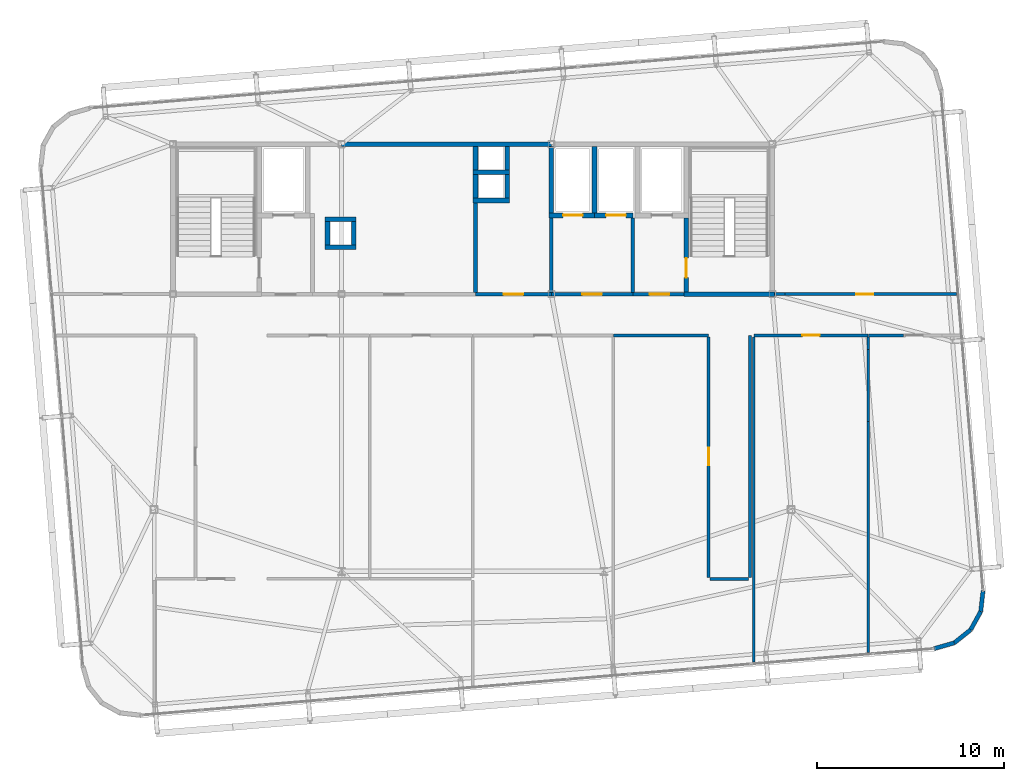
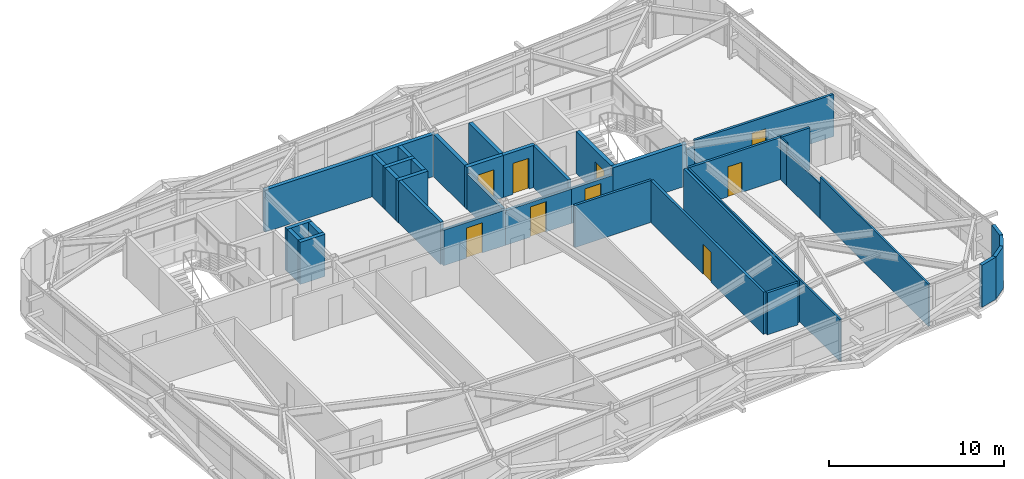
# One storey, part 43 of 46: 39 walls, 9 doors, 9 openings.
"""IFC4 building model written with IfcOpenShell, lengths in metres."""

from ifc_helpers import new_model, si_unit, direction, frame, frame_2d, origin, place, context, subcontext, project, spatial, rectangle, extrude, source, transform, mapped, material, layer, layer_set, type_object, element, fill, save


model = new_model("IFC4")

# Units and contexts
model_context = context("Model", 3, precision=1e-05, world=origin(), true_north=direction((0.0, 1.0)))
body_context = subcontext(model_context, "Body", "Model", "MODEL_VIEW")
ifc_project = project(units=[si_unit("LENGTHUNIT", "METRE"), si_unit("AREAUNIT", "SQUARE_METRE"), si_unit("VOLUMEUNIT", "CUBIC_METRE"), si_unit("PLANEANGLEUNIT", "RADIAN"), si_unit("MASSUNIT", "GRAM", prefix="KILO")], contexts=[model_context])

# Site, building, storey
site_placement = place(None, origin())
site = spatial("IfcSite", under=ifc_project, at=site_placement, CompositionType="ELEMENT")
building_placement = place(site_placement, origin())
building = spatial("IfcBuilding", under=site, at=building_placement, Name="Taldren Reach Tower", CompositionType="ELEMENT")
storey_placement = place(building_placement, frame((0.0, 0.0, 185.14990234375)))
storey = spatial("IfcBuildingStorey", under=building, at=storey_placement, Name="L56", CompositionType="ELEMENT", Elevation=185.14990234375)

# Walls
ifc_material_1 = material(Name="Pale Champagne Anodised Aluminium Cladding", Category="aluminium")
ifc_layer_1 = layer(ifc_material_1, 0.04, Name="Pale Champagne Anodised Aluminium Cladding", Category="aluminium")
ifc_material_2 = material(Name="Mineral Wool Acoustic Insulation", Category="insulation")
ifc_layer_2 = layer(ifc_material_2, 0.06, Name="Mineral Wool Acoustic Insulation", Category="insulation")
ifc_material_3 = material(Name="Steel Gr 350 (C350L0)", Category="steel")
ifc_layer_3 = layer(ifc_material_3, 0.12, Name="Steel Gr 350 (C350L0)", Category="steel")
ifc_layer_set_1 = layer_set([ifc_layer_1, ifc_layer_2, ifc_layer_3], Name="Pale Champagne Aluminium Cladding and Steel Gr 350 Stud Framing")
wall_type_1 = type_object("IfcWallType", Name="EW-CRN-220", PredefinedType="SOLIDWALL", material=ifc_layer_set_1)
shared_shape_1 = source(origin(), body_context, "Body", "SweptSolid", [
    extrude(rectangle(XDim=1.115966796875, YDim=0.219970703125, at=frame_2d((0.55810546875, 0.0))), origin(), (0.0, 0.0, 1.0), 2.93017578125),
])
for number, where, z_axis, x_axis, name in (
    (1, (59.635986328125, 5.0751953125, 0.0), (0.0, 0.0, 1.0), (0.961010464297, 0.276512002475, 0.0), "Rounded-corner pale-metal facade wall L56-SE1"),
    (2, (60.70849609375, 5.3837890625, 0.0), (0.0, 0.0, 1.0), (0.782147847222, 0.623092886403, 0.0), "Rounded-corner pale-metal facade wall L56-SE2"),
    (3, (61.581298828125, 6.0791015625, 0.0), (0.0, 0.0, 1.0), (0.483933071672, 0.875105012065, 0.0), "Rounded-corner pale-metal facade wall L56-SE3"),
    (4, (62.121337890625, 7.0556640625, 0.0), (0.0, 0.0, 1.0), (0.112448259968, 0.993657581277, 0.0), "Rounded-corner pale-metal facade wall L56-SE4"),
):
    element("IfcWall", number, at=place(storey_placement, frame(where, z_axis=z_axis, x_axis=x_axis)), inside=storey, type_object=wall_type_1, Name=name, PredefinedType="SOLIDWALL", context=body_context, shape_type="MappedRepresentation", body=[
        mapped(shared_shape_1, transform((0.0, 0.0, 0.0), scale=1.0)),
    ])
ifc_material_4 = material(Name="Fire-Rated Acoustic Plasterboard Stud Wall", Category="gypsum")
ifc_layer_4 = layer(ifc_material_4, 0.159912109375)
ifc_layer_set_2 = layer_set([ifc_layer_4], Name="Fire-Rated Acoustic Plasterboard Stud Wall")
wall_type_2 = type_object("IfcWallType", Name="IW-FIRE-160", PredefinedType="PARTITIONING", material=ifc_layer_set_2)
shared_shape_2 = source(origin(), body_context, "Body", "SweptSolid", [
    extrude(rectangle(XDim=2.0400390625, YDim=0.159912109375, at=frame_2d((1.02001953125, 0.0))), origin(), (0.0, 0.0, 1.0), 2.93017578125),
])
wall_1_placement = place(storey_placement, frame((49.719970703125, 8.800048828125, 0.0), z_axis=(0.0, 0.0, 1.0), x_axis=(-1.0, 0.0, 0.0)))
element("IfcWall", 5, at=wall_1_placement, inside=storey, type_object=wall_type_2, Name="Interior Partition Wall W-INT-L56-045", PredefinedType="PARTITIONING", context=body_context, shape_type="MappedRepresentation", body=[
    mapped(shared_shape_2, transform((0.0, 0.0, 0.0), scale=1.0)),
])

# Wall, opening, door
ifc_material_5 = material(Name="Concrete S50 (50 MPa)", Category="concrete")
ifc_layer_5 = layer(ifc_material_5, 0.199951171875)
ifc_layer_set_3 = layer_set([ifc_layer_5], Name="Concrete S50 (50 MPa)")
wall_type_3 = type_object("IfcWallType", Name="IW-CORE-200", PredefinedType="SOLIDWALL", material=ifc_layer_set_3)
shared_shape_3 = source(origin(), body_context, "Body", "SweptSolid", [
    extrude(rectangle(XDim=4.35009765625, YDim=0.199951171875, at=frame_2d((2.175048828125, 0.0))), origin(), (0.0, 0.0, 1.0), 2.397216796875),
])
wall_2_placement = place(storey_placement, frame((43.550048828125, 24.0, 0.0), z_axis=(0.0, 0.0, 1.0), x_axis=(-1.0, 0.0, 0.0)))
wall_2 = element("IfcWall", 6, at=wall_2_placement, inside=storey, type_object=wall_type_3, Name="Rear Core Shear Wall W-INT-L56-030", PredefinedType="SOLIDWALL", context=body_context, shape_type="MappedRepresentation", body=[
    mapped(shared_shape_3, transform((0.0, 0.0, 0.0), scale=1.0)),
])
shared_shape_4 = source(origin(), body_context, "Body", "SweptSolid", [
    extrude(rectangle(XDim=1.050048828125, YDim=2.10009765625, at=frame_2d((0.52490234375, 1.050048828125))), frame((0.0, 0.10986328125, 0.0), z_axis=(0.0, -1.0, 0.0), x_axis=(1.0, 0.0, 0.0)), (0.0, 0.0, 1.0), 0.219970703125),
])
opening_1_placement = place(wall_2_placement, frame((1.64990234375, 0.0, 0.0)))
opening_1 = element("IfcOpeningElement", 7, at=opening_1_placement, cuts=wall_2, Name="Opening DF-105", PredefinedType="OPENING", context=body_context, shape_type="MappedRepresentation", body=[
    mapped(shared_shape_4, transform((0.0, 0.0, 0.0), scale=1.0)),
])
ifc_material_6 = material(Name="Fire-Rated Care and Stair Exit Door")
door_type_1 = type_object("IfcDoorType", Name="ID-FIRE-105", OperationType="NOTDEFINED", PredefinedType="DOOR", material=ifc_material_6)
shared_shape_5 = source(origin(), body_context, "Body", "SweptSolid", [
    extrude(rectangle(XDim=1.050048828125, YDim=2.10009765625, at=frame_2d((0.52490234375, 1.050048828125))), frame((0.0, 0.02490234375, 0.0), z_axis=(0.0, -1.0, 0.0), x_axis=(1.0, 0.0, 0.0)), (0.0, 0.0, 1.0), 0.050048828125),
])
door_1_placement = place(opening_1_placement, frame((1.050048828125, 0.0, 0.0), z_axis=(0.0, 0.0, 1.0), x_axis=(-1.0, 0.0, 0.0)))
door_1 = element("IfcDoor", 8, at=door_1_placement, inside=storey, type_object=door_type_1, Name="Interior Door DR-L56-005", OperationType="SINGLE_SWING_LEFT", OverallHeight=2.10009765625, OverallWidth=1.050048828125, PredefinedType="DOOR", context=body_context, shape_type="MappedRepresentation", body=[
    mapped(shared_shape_5, transform((0.0, 0.0, 0.0), scale=1.0)),
])
fill(opening_1, door_1)

# Walls
shared_shape_6 = source(origin(), body_context, "Body", "SweptSolid", [
    extrude(rectangle(XDim=5.0595703125, YDim=0.159912109375, at=frame_2d((2.52978515625, 0.0))), origin(), (0.0, 0.0, 1.0), 2.93017578125),
])
wall_3_placement = place(storey_placement, frame((47.579833984375, 21.800048828125, 0.0), z_axis=(0.0, 0.0, 1.0), x_axis=(-1.0, 0.0, 0.0)))
element("IfcWall", 9, at=wall_3_placement, inside=storey, type_object=wall_type_2, Name="Interior Partition Wall W-INT-L56-044", PredefinedType="PARTITIONING", context=body_context, shape_type="MappedRepresentation", body=[
    mapped(shared_shape_6, transform((0.0, 0.0, 0.0), scale=1.0)),
])
ifc_material_7 = material(Name="Concrete S65 (65 MPa)", Category="concrete")
ifc_layer_6 = layer(ifc_material_7, 0.25)
ifc_layer_set_4 = layer_set([ifc_layer_6], Name="Concrete S65 (65 MPa)")
wall_type_4 = type_object("IfcWallType", Name="IW-CORE-250", PredefinedType="SHEAR", material=ifc_layer_set_4)
shared_shape_7 = source(origin(), body_context, "Body", "SweptSolid", [
    extrude(rectangle(XDim=11.199951171875, YDim=0.25, at=frame_2d((5.60009765625, 0.0))), origin(), (0.0, 0.0, 1.0), 2.93017578125),
])
wall_4_placement = place(storey_placement, frame((28.0, 32.0, 0.0), z_axis=(0.0, 0.0, 1.0), x_axis=(1.0, 0.0, 0.0)))
element("IfcWall", 10, at=wall_4_placement, inside=storey, type_object=wall_type_4, Name="Rear Core Shear Wall W-CORE-L56-NORTH2", PredefinedType="SHEAR", context=body_context, shape_type="MappedRepresentation", body=[
    mapped(shared_shape_7, transform((0.0, 0.0, 0.0), scale=1.0)),
])
shared_shape_8 = source(origin(), body_context, "Body", "SweptSolid", [
    extrude(rectangle(XDim=3.550048828125, YDim=0.25, at=frame_2d((1.77490234375, 0.0))), origin(), (0.0, 0.0, 1.0), 2.93017578125),
])
for number, where, z_axis, x_axis, name in (
    (11, (41.5, 28.324951171875, 0.0), (0.0, 0.0, 1.0), (0.0, 1.0, 0.0), "Rear Core Shear Wall W-INT-L56-025"),
    (12, (39.199951171875, 31.875, 0.0), (0.0, 0.0, 1.0), (0.0, -1.0, 0.0), "Rear Core Shear Wall W-INT-L56-027"),
):
    element("IfcWall", number, at=place(storey_placement, frame(where, z_axis=z_axis, x_axis=x_axis)), inside=storey, type_object=wall_type_4, Name=name, PredefinedType="SHEAR", context=body_context, shape_type="MappedRepresentation", body=[
        mapped(shared_shape_8, transform((0.0, 0.0, 0.0), scale=1.0)),
    ])

# Wall, opening, door
shared_shape_9 = source(origin(), body_context, "Body", "SweptSolid", [
    extrude(rectangle(XDim=3.949951171875, YDim=0.25, at=frame_2d((1.97509765625, 0.0))), origin(), (0.0, 0.0, 1.0), 2.93017578125),
])
wall_5_placement = place(storey_placement, frame((46.39990234375, 28.074951171875, 0.0), z_axis=(0.0, 0.0, 1.0), x_axis=(0.0, -1.0, 0.0)))
wall_5 = element("IfcWall", 13, at=wall_5_placement, inside=storey, type_object=wall_type_4, Name="Rear Core Shear Wall W-INT-L56-009", PredefinedType="SHEAR", context=body_context, shape_type="MappedRepresentation", body=[
    mapped(shared_shape_9, transform((0.0, 0.0, 0.0), scale=1.0)),
])
shared_shape_10 = source(origin(), body_context, "Body", "SweptSolid", [
    extrude(rectangle(XDim=1.050048828125, YDim=2.10009765625, at=frame_2d((0.52490234375, 1.050048828125))), frame((0.0, 0.135009765625, 0.0), z_axis=(0.0, -1.0, 0.0), x_axis=(1.0, 0.0, 0.0)), (0.0, 0.0, 1.0), 0.27001953125),
])
opening_2_placement = place(wall_5_placement, frame((2.14990234375, 0.0, 0.0)))
opening_2 = element("IfcOpeningElement", 14, at=opening_2_placement, cuts=wall_5, Name="Opening DF-105", PredefinedType="OPENING", context=body_context, shape_type="MappedRepresentation", body=[
    mapped(shared_shape_10, transform((0.0, 0.0, 0.0), scale=1.0)),
])
door_2_placement = place(opening_2_placement, origin())
door_2 = element("IfcDoor", 15, at=door_2_placement, inside=storey, type_object=door_type_1, Name="Fire Exit Stair Door DR-L56-003", OperationType="SINGLE_SWING_RIGHT", OverallHeight=2.10009765625, OverallWidth=1.050048828125, PredefinedType="DOOR", context=body_context, shape_type="MappedRepresentation", body=[
    mapped(shared_shape_5, transform((0.0, 0.0, 0.0), scale=1.0)),
])
fill(opening_2, door_2)

# Walls
shared_shape_11 = source(origin(), body_context, "Body", "SweptSolid", [
    extrude(rectangle(XDim=4.85009765625, YDim=0.25, at=frame_2d((2.425048828125, 0.0))), origin(), (0.0, 0.0, 1.0), 2.93017578125),
])
wall_6_placement = place(storey_placement, frame((46.27490234375, 24.0, 0.0), z_axis=(0.0, 0.0, 1.0), x_axis=(1.0, 0.0, 0.0)))
element("IfcWall", 16, at=wall_6_placement, inside=storey, type_object=wall_type_4, Name="Rear Core Shear Wall W-INT-L56-010", PredefinedType="SHEAR", context=body_context, shape_type="MappedRepresentation", body=[
    mapped(shared_shape_11, transform((0.0, 0.0, 0.0), scale=1.0)),
])
shared_shape_12 = source(origin(), body_context, "Body", "SweptSolid", [
    extrude(rectangle(XDim=3.974853515625, YDim=0.199951171875, at=frame_2d((1.9873046875, 0.0))), origin(), (0.0, 0.0, 1.0), 2.93017578125),
])
wall_7_placement = place(storey_placement, frame((43.550048828125, 28.074951171875, 0.0), z_axis=(0.0, 0.0, 1.0), x_axis=(0.0, -1.0, 0.0)))
element("IfcWall", 17, at=wall_7_placement, inside=storey, type_object=wall_type_3, Name="Rear Core Shear Wall W-INT-L56-013", PredefinedType="SOLIDWALL", context=body_context, shape_type="MappedRepresentation", body=[
    mapped(shared_shape_12, transform((0.0, 0.0, 0.0), scale=1.0)),
])

# Wall, opening, door
shared_shape_13 = source(origin(), body_context, "Body", "SweptSolid", [
    extrude(rectangle(XDim=2.724853515625, YDim=0.199951171875, at=frame_2d((1.3623046875, 0.0))), origin(), (0.0, 0.0, 1.0), 2.397216796875),
])
wall_8_placement = place(storey_placement, frame((43.550048828125, 24.0, 0.0), z_axis=(0.0, 0.0, 1.0), x_axis=(1.0, 0.0, 0.0)))
wall_8 = element("IfcWall", 18, at=wall_8_placement, inside=storey, type_object=wall_type_3, Name="Rear Core Shear Wall W-INT-L56-014", PredefinedType="SOLIDWALL", context=body_context, shape_type="MappedRepresentation", body=[
    mapped(shared_shape_13, transform((0.0, 0.0, 0.0), scale=1.0)),
])
opening_3_placement = place(wall_8_placement, frame((0.89990234375, 0.0, 0.0)))
opening_3 = element("IfcOpeningElement", 19, at=opening_3_placement, cuts=wall_8, Name="Opening DF-105", PredefinedType="OPENING", context=body_context, shape_type="MappedRepresentation", body=[
    mapped(shared_shape_4, transform((0.0, 0.0, 0.0), scale=1.0)),
])
door_3_placement = place(opening_3_placement, origin())
door_3 = element("IfcDoor", 20, at=door_3_placement, inside=storey, type_object=door_type_1, Name="Interior Door DR-L56-004", OperationType="SINGLE_SWING_LEFT", OverallHeight=2.10009765625, OverallWidth=1.050048828125, PredefinedType="DOOR", context=body_context, shape_type="MappedRepresentation", body=[
    mapped(shared_shape_5, transform((0.0, 0.0, 0.0), scale=1.0)),
])
fill(opening_3, door_3)

# Walls
shared_shape_14 = source(origin(), body_context, "Body", "SweptSolid", [
    extrude(rectangle(XDim=1.9501953125, YDim=0.25, at=frame_2d((0.97509765625, 0.0))), origin(), (0.0, 0.0, 1.0), 2.93017578125),
])
for number, where, z_axis, x_axis, name in (
    (21, (35.02490234375, 30.5, 0.0), (0.0, 0.0, 1.0), (1.0, 0.0, 0.0), "Rear Core Shear Wall W-INT-L56-015"),
    (22, (35.02490234375, 29.0, 0.0), (0.0, 0.0, 1.0), (1.0, 0.0, 0.0), "Rear Core Shear Wall W-INT-L56-019"),
):
    element("IfcWall", number, at=place(storey_placement, frame(where, z_axis=z_axis, x_axis=x_axis)), inside=storey, type_object=wall_type_4, Name=name, PredefinedType="SHEAR", context=body_context, shape_type="MappedRepresentation", body=[
        mapped(shared_shape_14, transform((0.0, 0.0, 0.0), scale=1.0)),
    ])
shared_shape_15 = source(origin(), body_context, "Body", "SweptSolid", [
    extrude(rectangle(XDim=1.25, YDim=0.25, at=frame_2d((0.625, 0.0))), origin(), (0.0, 0.0, 1.0), 2.93017578125),
])
for number, where, z_axis, x_axis, name in (
    (23, (35.14990234375, 31.875, 0.0), (0.0, 0.0, 1.0), (0.0, -1.0, 0.0), "Rear Core Shear Wall W-INT-L56-016"),
    (24, (36.85009765625, 30.625, 0.0), (0.0, 0.0, 1.0), (0.0, 1.0, 0.0), "Rear Core Shear Wall W-INT-L56-017"),
    (25, (35.14990234375, 30.375, 0.0), (0.0, 0.0, 1.0), (0.0, -1.0, 0.0), "Rear Core Shear Wall W-INT-L56-018"),
    (26, (36.85009765625, 29.125, 0.0), (0.0, 0.0, 1.0), (0.0, 1.0, 0.0), "Rear Core Shear Wall W-INT-L56-020"),
    (27, (28.64990234375, 26.625, 0.0), (0.0, 0.0, 1.0), (0.0, 1.0, 0.0), "Rear Core Shear Wall W-INT-L56-021"),
    (28, (27.25, 27.875, 0.0), (0.0, 0.0, 1.0), (0.0, -1.0, 0.0), "Rear Core Shear Wall W-INT-L56-022"),
):
    element("IfcWall", number, at=place(storey_placement, frame(where, z_axis=z_axis, x_axis=x_axis)), inside=storey, type_object=wall_type_4, Name=name, PredefinedType="SHEAR", context=body_context, shape_type="MappedRepresentation", body=[
        mapped(shared_shape_15, transform((0.0, 0.0, 0.0), scale=1.0)),
    ])
shared_shape_16 = source(origin(), body_context, "Body", "SweptSolid", [
    extrude(rectangle(XDim=1.64990234375, YDim=0.25, at=frame_2d((0.824951171875, 0.0))), origin(), (0.0, 0.0, 1.0), 2.93017578125),
])
for number, where, z_axis, x_axis, name in (
    (29, (28.77490234375, 28.0, 0.0), (0.0, 0.0, 1.0), (-1.0, 0.0, 0.0), "Rear Core Shear Wall W-INT-L56-023"),
    (30, (27.125, 26.5, 0.0), (0.0, 0.0, 1.0), (1.0, 0.0, 0.0), "Rear Core Shear Wall W-INT-L56-024"),
):
    element("IfcWall", number, at=place(storey_placement, frame(where, z_axis=z_axis, x_axis=x_axis)), inside=storey, type_object=wall_type_4, Name=name, PredefinedType="SHEAR", context=body_context, shape_type="MappedRepresentation", body=[
        mapped(shared_shape_16, transform((0.0, 0.0, 0.0), scale=1.0)),
    ])

# Wall, opening, door
shared_shape_17 = source(origin(), body_context, "Body", "SweptSolid", [
    extrude(rectangle(XDim=2.425048828125, YDim=0.25, at=frame_2d((1.21240234375, 0.0))), origin(), (0.0, 0.0, 1.0), 2.93017578125),
])
wall_9_placement = place(storey_placement, frame((39.074951171875, 28.199951171875, 0.0), z_axis=(0.0, 0.0, 1.0), x_axis=(1.0, 0.0, 0.0)))
wall_9 = element("IfcWall", 31, at=wall_9_placement, inside=storey, type_object=wall_type_4, Name="Rear Core Shear Wall W-INT-L56-026", PredefinedType="SHEAR", context=body_context, shape_type="MappedRepresentation", body=[
    mapped(shared_shape_17, transform((0.0, 0.0, 0.0), scale=1.0)),
])
shared_shape_18 = source(origin(), body_context, "Body", "SweptSolid", [
    extrude(rectangle(XDim=1.050048828125, YDim=2.14990234375, at=frame_2d((0.52490234375, 1.074951171875))), frame((0.0, 0.135009765625, 0.0), z_axis=(0.0, -1.0, 0.0), x_axis=(1.0, 0.0, 0.0)), (0.0, 0.0, 1.0), 0.27001953125),
])
opening_4_placement = place(wall_9_placement, frame((0.75, 0.0, 0.0)))
opening_4 = element("IfcOpeningElement", 32, at=opening_4_placement, cuts=wall_9, Name="Opening LD-PH1", PredefinedType="OPENING", context=body_context, shape_type="MappedRepresentation", body=[
    mapped(shared_shape_18, transform((0.0, 0.0, 0.0), scale=1.0)),
])
ifc_material_8 = material(Name="Stainless Steel Gr 316 Passenger Lift Landing Door", Category="steel")
door_type_2 = type_object("IfcDoorType", Name="LD-PAS-105", OperationType="SLIDING_TO_LEFT", PredefinedType="DOOR", material=ifc_material_8)
shared_shape_19 = source(origin(), body_context, "Body", "SweptSolid", [
    extrude(rectangle(XDim=1.050048828125, YDim=2.14990234375, at=frame_2d((0.52490234375, 1.074951171875))), frame((0.0, 0.02490234375, 0.0), z_axis=(0.0, -1.0, 0.0), x_axis=(1.0, 0.0, 0.0)), (0.0, 0.0, 1.0), 0.050048828125),
])
door_4_placement = place(opening_4_placement, origin())
door_4 = element("IfcDoor", 33, at=door_4_placement, inside=storey, type_object=door_type_2, Name="Lift Landing Door LD-PH1-L56", OperationType="SLIDING_TO_LEFT", OverallHeight=2.14990234375, OverallWidth=1.050048828125, PredefinedType="DOOR", context=body_context, shape_type="MappedRepresentation", body=[
    mapped(shared_shape_19, transform((0.0, 0.0, 0.0), scale=1.0)),
])
fill(opening_4, door_4)

shared_shape_20 = source(origin(), body_context, "Body", "SweptSolid", [
    extrude(rectangle(XDim=2.070068359375, YDim=0.25, at=frame_2d((1.03515625, 0.0))), origin(), (0.0, 0.0, 1.0), 2.93017578125),
])
wall_10_placement = place(storey_placement, frame((41.5, 28.199951171875, 0.0), z_axis=(0.0, 0.0, 1.0), x_axis=(1.0, 0.0, 0.0)))
wall_10 = element("IfcWall", 34, at=wall_10_placement, inside=storey, type_object=wall_type_4, Name="Rear Core Shear Wall W-INT-L56-028", PredefinedType="SHEAR", context=body_context, shape_type="MappedRepresentation", body=[
    mapped(shared_shape_20, transform((0.0, 0.0, 0.0), scale=1.0)),
])
opening_5_placement = place(wall_10_placement, frame((0.625, 0.0, 0.0)))
opening_5 = element("IfcOpeningElement", 35, at=opening_5_placement, cuts=wall_10, Name="Opening LD-PH2", PredefinedType="OPENING", context=body_context, shape_type="MappedRepresentation", body=[
    mapped(shared_shape_18, transform((0.0, 0.0, 0.0), scale=1.0)),
])
door_5_placement = place(opening_5_placement, origin())
door_5 = element("IfcDoor", 36, at=door_5_placement, inside=storey, type_object=door_type_2, Name="Lift Landing Door LD-PH2-L56", OperationType="SLIDING_TO_LEFT", OverallHeight=2.14990234375, OverallWidth=1.050048828125, PredefinedType="DOOR", context=body_context, shape_type="MappedRepresentation", body=[
    mapped(shared_shape_19, transform((0.0, 0.0, 0.0), scale=1.0)),
])
fill(opening_5, door_5)

# Walls
shared_shape_21 = source(origin(), body_context, "Body", "SweptSolid", [
    extrude(rectangle(XDim=3.974853515625, YDim=0.199951171875, at=frame_2d((1.9873046875, 0.0))), origin(), (0.0, 0.0, 1.0), 2.47021484375),
])
wall_11_placement = place(storey_placement, frame((39.199951171875, 24.10009765625, 0.0), z_axis=(0.0, 0.0, 1.0), x_axis=(0.0, 1.0, 0.0)))
element("IfcWall", 37, at=wall_11_placement, inside=storey, type_object=wall_type_3, Name="Rear Core Shear Wall W-INT-L56-029", PredefinedType="SOLIDWALL", context=body_context, shape_type="MappedRepresentation", body=[
    mapped(shared_shape_21, transform((0.0, 0.0, 0.0), scale=1.0)),
])
shared_shape_22 = source(origin(), body_context, "Body", "SweptSolid", [
    extrude(rectangle(XDim=4.77490234375, YDim=0.199951171875, at=frame_2d((2.387451171875, 0.0))), origin(), (0.0, 0.0, 1.0), 2.93017578125),
])
wall_12_placement = place(storey_placement, frame((35.14990234375, 28.875, 0.0), z_axis=(0.0, 0.0, 1.0), x_axis=(0.0, -1.0, 0.0)))
element("IfcWall", 38, at=wall_12_placement, inside=storey, type_object=wall_type_3, Name="Rear Core Shear Wall W-INT-L56-031", PredefinedType="SOLIDWALL", context=body_context, shape_type="MappedRepresentation", body=[
    mapped(shared_shape_22, transform((0.0, 0.0, 0.0), scale=1.0)),
])

# Wall, opening, door
shared_shape_23 = source(origin(), body_context, "Body", "SweptSolid", [
    extrude(rectangle(XDim=4.050048828125, YDim=0.199951171875, at=frame_2d((2.02490234375, 0.0))), origin(), (0.0, 0.0, 1.0), 2.47021484375),
])
wall_13_placement = place(storey_placement, frame((39.199951171875, 24.0, 0.0), z_axis=(0.0, 0.0, 1.0), x_axis=(-1.0, 0.0, 0.0)))
wall_13 = element("IfcWall", 39, at=wall_13_placement, inside=storey, type_object=wall_type_3, Name="Rear Core Shear Wall W-INT-L56-033", PredefinedType="SOLIDWALL", context=body_context, shape_type="MappedRepresentation", body=[
    mapped(shared_shape_23, transform((0.0, 0.0, 0.0), scale=1.0)),
])
opening_6_placement = place(wall_13_placement, frame((1.5, 0.0, 0.0)))
opening_6 = element("IfcOpeningElement", 40, at=opening_6_placement, cuts=wall_13, Name="Opening DF-105", PredefinedType="OPENING", context=body_context, shape_type="MappedRepresentation", body=[
    mapped(shared_shape_4, transform((0.0, 0.0, 0.0), scale=1.0)),
])
door_6_placement = place(opening_6_placement, frame((1.050048828125, 0.0, 0.0), z_axis=(0.0, 0.0, 1.0), x_axis=(-1.0, 0.0, 0.0)))
door_6 = element("IfcDoor", 41, at=door_6_placement, inside=storey, type_object=door_type_1, Name="Interior Door DR-L56-007", OperationType="SINGLE_SWING_LEFT", OverallHeight=2.10009765625, OverallWidth=1.050048828125, PredefinedType="DOOR", context=body_context, shape_type="MappedRepresentation", body=[
    mapped(shared_shape_5, transform((0.0, 0.0, 0.0), scale=1.0)),
])
fill(opening_6, door_6)

shared_shape_24 = source(origin(), body_context, "Body", "SweptSolid", [
    extrude(rectangle(XDim=12.840087890625, YDim=0.159912109375, at=frame_2d((6.419921875, 0.0))), origin(), (0.0, 0.0, 1.0), 2.93017578125),
])
wall_14_placement = place(storey_placement, frame((47.60009765625, 8.8798828125, 0.0), z_axis=(0.0, 0.0, 1.0), x_axis=(0.0, 1.0, 0.0)))
wall_14 = element("IfcWall", 42, at=wall_14_placement, inside=storey, type_object=wall_type_2, Name="Interior Partition Wall W-INT-L56-042", PredefinedType="PARTITIONING", context=body_context, shape_type="MappedRepresentation", body=[
    mapped(shared_shape_24, transform((0.0, 0.0, 0.0), scale=1.0)),
])
shared_shape_25 = source(origin(), body_context, "Body", "SweptSolid", [
    extrude(rectangle(XDim=0.919921875, YDim=2.10009765625, at=frame_2d((0.4599609375, 1.050048828125))), frame((0.0, 0.08984375, 0.0), z_axis=(0.0, -1.0, 0.0), x_axis=(1.0, 0.0, 0.0)), (0.0, 0.0, 1.0), 0.179931640625),
])
opening_7_placement = place(wall_14_placement, frame((5.989990234375, 0.0, 0.0)))
opening_7 = element("IfcOpeningElement", 43, at=opening_7_placement, cuts=wall_14, Name="Opening DI-092", PredefinedType="OPENING", context=body_context, shape_type="MappedRepresentation", body=[
    mapped(shared_shape_25, transform((0.0, 0.0, 0.0), scale=1.0)),
])
ifc_material_9 = material(Name="Solid-Core Timber Suite Door", Category="wood")
door_type_3 = type_object("IfcDoorType", Name="ID-INT-092", OperationType="NOTDEFINED", PredefinedType="DOOR", material=ifc_material_9)
shared_shape_26 = source(origin(), body_context, "Body", "SweptSolid", [
    extrude(rectangle(XDim=0.919921875, YDim=2.10009765625, at=frame_2d((0.4599609375, 1.050048828125))), frame((0.0, 0.02490234375, 0.0), z_axis=(0.0, -1.0, 0.0), x_axis=(1.0, 0.0, 0.0)), (0.0, 0.0, 1.0), 0.050048828125),
])
door_7_placement = place(opening_7_placement, origin())
door_7 = element("IfcDoor", 44, at=door_7_placement, inside=storey, type_object=door_type_3, Name="Interior Door DR-L56-015", OperationType="SINGLE_SWING_RIGHT", OverallHeight=2.10009765625, OverallWidth=0.919921875, PredefinedType="DOOR", context=body_context, shape_type="MappedRepresentation", body=[
    mapped(shared_shape_26, transform((0.0, 0.0, 0.0), scale=1.0)),
])
fill(opening_7, door_7)

# Wall
shared_shape_27 = source(origin(), body_context, "Body", "SweptSolid", [
    extrude(rectangle(XDim=0.5556640625, YDim=0.159912109375, at=frame_2d((0.27783203125, 0.0))), origin(), (0.0, 0.0, 1.0), 2.47021484375),
])
wall_15_placement = place(storey_placement, frame((51.125, 24.0, 0.0), z_axis=(0.0, 0.0, 1.0), x_axis=(1.0, 0.0, 0.0)))
element("IfcWall", 45, at=wall_15_placement, inside=storey, type_object=wall_type_2, Name="Interior Partition Wall W-INT-L56-040", PredefinedType="PARTITIONING", context=body_context, shape_type="MappedRepresentation", body=[
    mapped(shared_shape_27, transform((0.0, 0.0, 0.0), scale=1.0)),
])

# Wall, opening, door
shared_shape_28 = source(origin(), body_context, "Body", "SweptSolid", [
    extrude(rectangle(XDim=9.15283203125, YDim=0.159912109375, at=frame_2d((4.576416015625, 0.0))), origin(), (0.0, 0.0, 1.0), 2.93017578125),
])
wall_16_placement = place(storey_placement, frame((51.6806640625, 24.0, 0.0), z_axis=(0.0, 0.0, 1.0), x_axis=(1.0, 0.0, 0.0)))
wall_16 = element("IfcWall", 46, at=wall_16_placement, inside=storey, type_object=wall_type_2, Name="Interior Partition Wall W-INT-L56-040 part 2", PredefinedType="PARTITIONING", context=body_context, shape_type="MappedRepresentation", body=[
    mapped(shared_shape_28, transform((0.0, 0.0, 0.0), scale=1.0)),
])
opening_8_placement = place(wall_16_placement, frame((3.7861328125, 0.0, 0.0)))
opening_8 = element("IfcOpeningElement", 47, at=opening_8_placement, cuts=wall_16, Name="Opening DI-092", PredefinedType="OPENING", context=body_context, shape_type="MappedRepresentation", body=[
    mapped(shared_shape_25, transform((0.0, 0.0, 0.0), scale=1.0)),
])
door_8_placement = place(opening_8_placement, origin())
door_8 = element("IfcDoor", 48, at=door_8_placement, inside=storey, type_object=door_type_3, Name="Interior Door DR-L56-013", OperationType="SINGLE_SWING_RIGHT", OverallHeight=2.10009765625, OverallWidth=0.919921875, PredefinedType="DOOR", context=body_context, shape_type="MappedRepresentation", body=[
    mapped(shared_shape_26, transform((0.0, 0.0, 0.0), scale=1.0)),
])
fill(opening_8, door_8)

# Wall
shared_shape_29 = source(origin(), body_context, "Body", "SweptSolid", [
    extrude(rectangle(XDim=12.89990234375, YDim=0.159912109375, at=frame_2d((6.449951171875, 0.0))), origin(), (0.0, 0.0, 1.0), 2.93017578125),
])
wall_17_placement = place(storey_placement, frame((49.800048828125, 21.77978515625, 0.0), z_axis=(0.0, 0.0, 1.0), x_axis=(0.0, -1.0, 0.0)))
element("IfcWall", 49, at=wall_17_placement, inside=storey, type_object=wall_type_2, Name="Interior Partition Wall W-INT-L56-043", PredefinedType="PARTITIONING", context=body_context, shape_type="MappedRepresentation", body=[
    mapped(shared_shape_29, transform((0.0, 0.0, 0.0), scale=1.0)),
])

# Wall, opening, door
shared_shape_30 = source(origin(), body_context, "Body", "SweptSolid", [
    extrude(rectangle(XDim=6.0771484375, YDim=0.159912109375, at=frame_2d((3.03857421875, 0.0))), origin(), (0.0, 0.0, 1.0), 2.93017578125),
])
wall_18_placement = place(storey_placement, frame((56.097412109375, 21.800048828125, 0.0), z_axis=(0.0, 0.0, 1.0), x_axis=(-1.0, 0.0, 0.0)))
wall_18 = element("IfcWall", 50, at=wall_18_placement, inside=storey, type_object=wall_type_2, Name="Interior Partition Wall W-INT-L56-046", PredefinedType="PARTITIONING", context=body_context, shape_type="MappedRepresentation", body=[
    mapped(shared_shape_30, transform((0.0, 0.0, 0.0), scale=1.0)),
])
opening_9_placement = place(wall_18_placement, frame((2.57861328125, 0.0, 0.0)))
opening_9 = element("IfcOpeningElement", 51, at=opening_9_placement, cuts=wall_18, Name="Opening DI-092", PredefinedType="OPENING", context=body_context, shape_type="MappedRepresentation", body=[
    mapped(shared_shape_25, transform((0.0, 0.0, 0.0), scale=1.0)),
])
door_9_placement = place(opening_9_placement, origin())
door_9 = element("IfcDoor", 52, at=door_9_placement, inside=storey, type_object=door_type_3, Name="Interior Door DR-L56-016", OperationType="SINGLE_SWING_LEFT", OverallHeight=2.10009765625, OverallWidth=0.919921875, PredefinedType="DOOR", context=body_context, shape_type="MappedRepresentation", body=[
    mapped(shared_shape_26, transform((0.0, 0.0, 0.0), scale=1.0)),
])
fill(opening_9, door_9)

# Walls
shared_shape_31 = source(origin(), body_context, "Body", "SweptSolid", [
    extrude(rectangle(XDim=1.87353515625, YDim=0.159912109375, at=frame_2d((0.936767578125, 0.0))), origin(), (0.0, 0.0, 1.0), 2.93017578125),
])
wall_19_placement = place(storey_placement, frame((58.01123046875, 21.800048828125, 0.0), z_axis=(0.0, 0.0, 1.0), x_axis=(-1.0, 0.0, 0.0)))
element("IfcWall", 53, at=wall_19_placement, inside=storey, type_object=wall_type_2, Name="Interior Partition Wall W-INT-L56-047 part 3", PredefinedType="PARTITIONING", context=body_context, shape_type="MappedRepresentation", body=[
    mapped(shared_shape_31, transform((0.0, 0.0, 0.0), scale=1.0)),
])
ifc_material_10 = material(Name="Insulated Residential Stud Partition", Category="gypsum")
ifc_layer_7 = layer(ifc_material_10, 0.1201171875)
ifc_layer_set_5 = layer_set([ifc_layer_7], Name="Insulated Residential Stud Partition")
wall_type_5 = type_object("IfcWallType", Name="IW-PART-120", PredefinedType="PARTITIONING", material=ifc_layer_set_5)
shared_shape_32 = source(origin(), body_context, "Body", "SweptSolid", [
    extrude(rectangle(XDim=17.370361328125, YDim=0.1201171875, at=frame_2d((8.68505859375, 0.0))), origin(), (0.0, 0.0, 1.0), 2.93017578125),
])
wall_20_placement = place(storey_placement, frame((50.0, 21.719970703125, 0.0), z_axis=(0.0, 0.0, 1.0), x_axis=(0.0, -1.0, 0.0)))
element("IfcWall", 54, at=wall_20_placement, inside=storey, type_object=wall_type_5, Name="Interior Partition Wall W-INT-L56-056", PredefinedType="PARTITIONING", context=body_context, shape_type="MappedRepresentation", body=[
    mapped(shared_shape_32, transform((0.0, 0.0, 0.0), scale=1.0)),
])
shared_shape_33 = source(origin(), body_context, "Body", "SweptSolid", [
    extrude(rectangle(XDim=0.66943359375, YDim=0.1201171875, at=frame_2d((0.334716796875, 0.0))), origin(), (0.0, 0.0, 1.0), 2.93017578125),
])
wall_21_placement = place(storey_placement, frame((56.11767578125, 21.719970703125, 0.0), z_axis=(0.0, 0.0, 1.0), x_axis=(0.0, -1.0, 0.0)))
element("IfcWall", 55, at=wall_21_placement, inside=storey, type_object=wall_type_5, Name="Interior Partition Wall W-INT-L56-057", PredefinedType="PARTITIONING", context=body_context, shape_type="MappedRepresentation", body=[
    mapped(shared_shape_33, transform((0.0, 0.0, 0.0), scale=1.0)),
])
shared_shape_34 = source(origin(), body_context, "Body", "SweptSolid", [
    extrude(rectangle(XDim=3.8603515625, YDim=0.1201171875, at=frame_2d((1.93017578125, 0.0))), origin(), (0.0, 0.0, 1.0), 2.397216796875),
])
wall_22_placement = place(storey_placement, frame((56.11767578125, 21.050537109375, 0.0), z_axis=(0.0, 0.0, 1.0), x_axis=(0.0, -1.0, 0.0)))
element("IfcWall", 56, at=wall_22_placement, inside=storey, type_object=wall_type_5, Name="Interior Partition Wall W-INT-L56-057 part 2", PredefinedType="PARTITIONING", context=body_context, shape_type="MappedRepresentation", body=[
    mapped(shared_shape_34, transform((0.0, 0.0, 0.0), scale=1.0)),
])
shared_shape_35 = source(origin(), body_context, "Body", "SweptSolid", [
    extrude(rectangle(XDim=12.326904296875, YDim=0.1201171875, at=frame_2d((6.16357421875, 0.0))), origin(), (0.0, 0.0, 1.0), 2.93017578125),
])
wall_23_placement = place(storey_placement, frame((56.11767578125, 17.190185546875, 0.0), z_axis=(0.0, 0.0, 1.0), x_axis=(0.0, -1.0, 0.0)))
element("IfcWall", 57, at=wall_23_placement, inside=storey, type_object=wall_type_5, Name="Interior Partition Wall W-INT-L56-057 part 3", PredefinedType="PARTITIONING", context=body_context, shape_type="MappedRepresentation", body=[
    mapped(shared_shape_35, transform((0.0, 0.0, 0.0), scale=1.0)),
])

save(model, "model.ifc")
